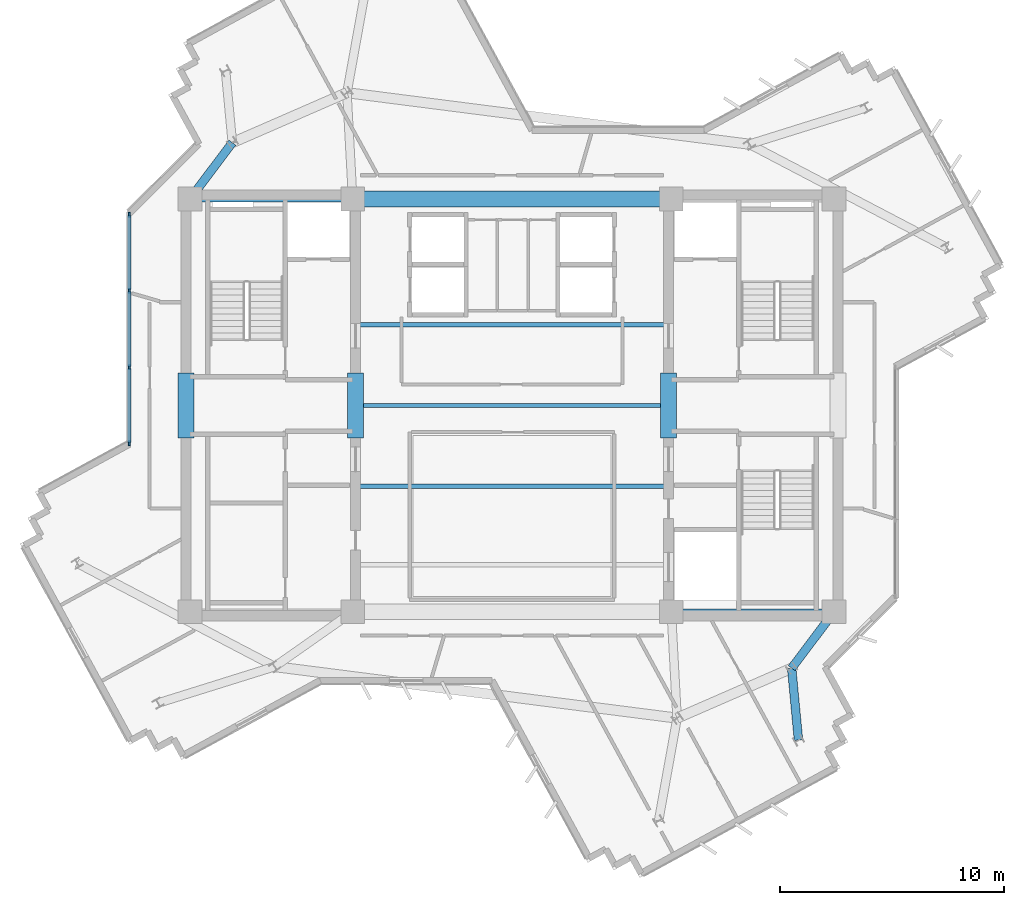
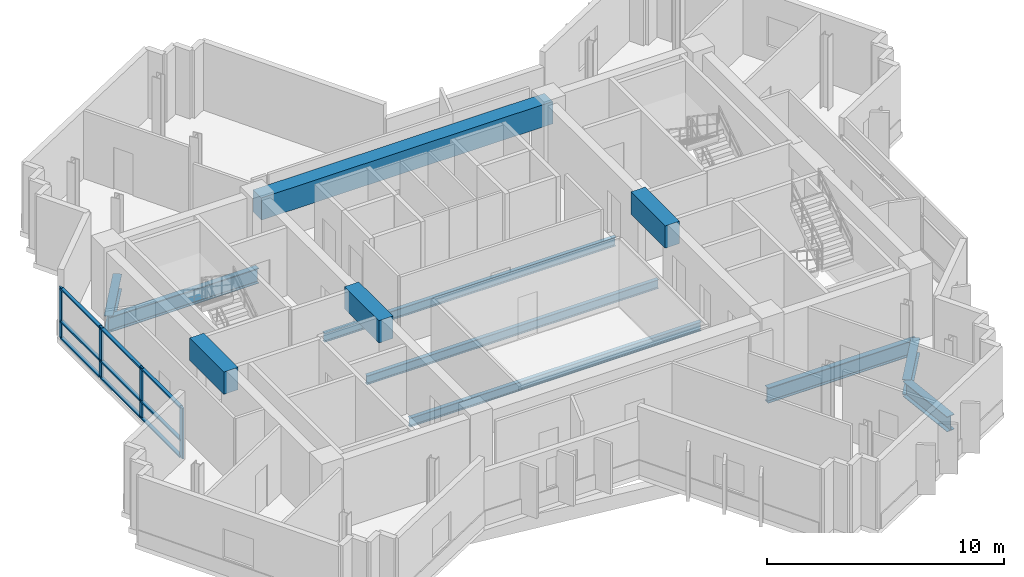
# One storey, part 2 of 13: 13 members, 12 beams, 1 element without a shape of its own.
"""IFC4 building model written with IfcOpenShell, lengths in metres."""

from ifc_helpers import new_model, si_unit, direction, frame, origin, origin_2d, place, context, subcontext, project, spatial, rectangle, i_section, extrude, source, transform, mapped, material, layer, layer_set, material_profile, profile_set, type_object, element, aggregate, save


model = new_model("IFC4")

# Units and contexts
model_context = context("Model", 3, precision=1e-05, world=origin(), true_north=direction((0.0, 1.0)))
body_context = subcontext(model_context, "Body", "Model", "MODEL_VIEW")
ifc_project = project(units=[si_unit("LENGTHUNIT", "METRE"), si_unit("AREAUNIT", "SQUARE_METRE"), si_unit("VOLUMEUNIT", "CUBIC_METRE"), si_unit("PLANEANGLEUNIT", "RADIAN"), si_unit("MASSUNIT", "GRAM", prefix="KILO")], contexts=[model_context])

# Site, building, storey
site_placement = place(None, origin())
site = spatial("IfcSite", under=ifc_project, at=site_placement, CompositionType="ELEMENT")
building_placement = place(site_placement, origin())
building = spatial("IfcBuilding", under=site, at=building_placement, Name="Zahravan Cultural Tower", CompositionType="ELEMENT")
storey_placement = place(building_placement, frame((0.0, 0.0, 257.85009765625)))
storey = spatial("IfcBuildingStorey", under=building, at=storey_placement, Name="L61", CompositionType="ELEMENT", Elevation=257.85009765625)

# Beams
ifc_material_1 = material(Name="Concrete C50/60", Category="concrete")
ifc_material_profile_1 = material_profile(ifc_material_1, rectangle(XDim=0.699951171875, YDim=1.14990234375, at=origin_2d()), Name="RC700X1150")
ifc_profile_set_1 = profile_set([ifc_material_profile_1], Name="Concrete C50/60")
beam_type_1 = type_object("IfcBeamType", Name="BM-LN-RC700X1150", PredefinedType="LINTEL", material=ifc_profile_set_1)
shared_shape_1 = source(origin(), body_context, "Body", "SweptSolid", [
    extrude(rectangle(XDim=0.699951171875, YDim=1.14990234375, at=origin_2d()), origin(), (0.0, 0.0, 1.0), 14.2001953125),
])
beam_1_placement = place(storey_placement, frame((28.89990234375, 36.199951171875, 2.9248046875), z_axis=(1.0, 0.0, 0.0), x_axis=(0.0, 1.0, 0.0)))
element("IfcBeam", 1, at=beam_1_placement, inside=storey, type_object=beam_type_1, Name="L61 Beam LN-L61-N", PredefinedType="LINTEL", context=body_context, shape_type="MappedRepresentation", body=[
    mapped(shared_shape_1, transform((0.0, 0.0, 0.0), x_axis=(1.0, 0.0, 0.0), y_axis=(0.0, 1.0, 0.0), z_axis=(0.0, 0.0, 1.0), scale=1.0)),
])
shared_shape_2 = source(origin(), body_context, "Body", "SweptSolid", [
    extrude(rectangle(XDim=0.699951171875, YDim=1.14990234375, at=origin_2d()), origin(), (0.0, 0.0, 1.0), 2.89990234375),
])
for number, where, z_axis, x_axis, name in (
    (2, (21.47509765625, 25.550048828125, 2.9248046875), (0.0, 1.0, 0.0), (-1.0, 0.0, 0.0), "L61 Beam LN-L61-PWW"),
    (3, (29.02490234375, 25.550048828125, 2.9248046875), (0.0, 1.0, 0.0), (-1.0, 0.0, 0.0), "L61 Beam LN-L61-PWE"),
    (4, (42.97509765625, 25.550048828125, 2.9248046875), (0.0, 1.0, 0.0), (-1.0, 0.0, 0.0), "L61 Beam LN-L61-PEW"),
):
    element("IfcBeam", number, at=place(storey_placement, frame(where, z_axis=z_axis, x_axis=x_axis)), inside=storey, type_object=beam_type_1, Name=name, PredefinedType="LINTEL", context=body_context, shape_type="MappedRepresentation", body=[
        mapped(shared_shape_2, transform((0.0, 0.0, 0.0), x_axis=(1.0, 0.0, 0.0), y_axis=(0.0, 1.0, 0.0), z_axis=(0.0, 0.0, 1.0), scale=1.0)),
    ])
ifc_material_2 = material(Name="Steel ASTM A992 Grade 50", Category="steel")
ifc_material_profile_2 = material_profile(ifc_material_2, i_section(OverallWidth=0.26611328125, OverallDepth=0.780029296875, WebThickness=0.0166015625, FlangeThickness=0.030029296875, FilletRadius=0.01904296875, at=origin_2d()), Name="W30X148")
ifc_profile_set_2 = profile_set([ifc_material_profile_2], Name="Steel ASTM A992 Grade 50")
beam_type_2 = type_object("IfcBeamType", Name="BM-G-W30X148", PredefinedType="BEAM", material=ifc_profile_set_2)
shared_shape_3 = source(origin(), body_context, "Body", "SweptSolid", [
    extrude(i_section(OverallWidth=0.26611328125, OverallDepth=0.780029296875, WebThickness=0.0166015625, FlangeThickness=0.030029296875, FilletRadius=0.01904296875, at=origin_2d()), origin(), (0.0, 0.0, 1.0), 7.25),
])
for number, where, z_axis, x_axis, name in (
    (5, (21.64990234375, 36.199951171875, -0.64013671875), (1.0, 0.0, 0.0), (0.0, 1.0, 0.0), "L61 Beam BG-L61-02"),
    (6, (43.10009765625, 17.800048828125, -0.64013671875), (1.0, 0.0, 0.0), (0.0, 1.0, 0.0), "L61 Beam BG-L61-04"),
):
    element("IfcBeam", number, at=place(storey_placement, frame(where, z_axis=z_axis, x_axis=x_axis)), inside=storey, type_object=beam_type_2, Name=name, PredefinedType="BEAM", context=body_context, shape_type="MappedRepresentation", body=[
        mapped(shared_shape_3, transform((0.0, 0.0, 0.0), x_axis=(1.0, 0.0, 0.0), y_axis=(0.0, 1.0, 0.0), z_axis=(0.0, 0.0, 1.0), scale=1.0)),
    ])
ifc_material_profile_3 = material_profile(ifc_material_2, i_section(OverallWidth=0.18994140625, OverallDepth=0.45703125, WebThickness=0.009033203125, FlangeThickness=0.014404296875, FilletRadius=0.012939453125, at=origin_2d()), Name="W18X50")
ifc_profile_set_3 = profile_set([ifc_material_profile_3], Name="Steel ASTM A992 Grade 50")
beam_type_3 = type_object("IfcBeamType", Name="BM-J-W18X50", PredefinedType="JOIST", material=ifc_profile_set_3)
shared_shape_4 = source(origin(), body_context, "Body", "SweptSolid", [
    extrude(i_section(OverallWidth=0.18994140625, OverallDepth=0.45703125, WebThickness=0.009033203125, FlangeThickness=0.014404296875, FilletRadius=0.012939453125, at=origin_2d()), origin(), (0.0, 0.0, 1.0), 14.2001953125),
])
for number, where, z_axis, x_axis, name in (
    (7, (28.89990234375, 23.39990234375, -0.478515625), (1.0, 0.0, 0.0), (0.0, 1.0, 0.0), "L61 Beam BJ-L61-25"),
    (8, (28.89990234375, 27.0, -0.478515625), (1.0, 0.0, 0.0), (0.0, 1.0, 0.0), "L61 Beam BJ-L61-26"),
    (9, (28.89990234375, 30.60009765625, -0.478515625), (1.0, 0.0, 0.0), (0.0, 1.0, 0.0), "L61 Beam BJ-L61-27"),
):
    element("IfcBeam", number, at=place(storey_placement, frame(where, z_axis=z_axis, x_axis=x_axis)), inside=storey, type_object=beam_type_3, Name=name, PredefinedType="JOIST", context=body_context, shape_type="MappedRepresentation", body=[
        mapped(shared_shape_4, transform((0.0, 0.0, 0.0), x_axis=(1.0, 0.0, 0.0), y_axis=(0.0, 1.0, 0.0), z_axis=(0.0, 0.0, 1.0), scale=1.0)),
    ])
ifc_material_profile_4 = material_profile(ifc_material_2, i_section(OverallWidth=0.382080078125, OverallDepth=0.779052734375, WebThickness=0.01806640625, FlangeThickness=0.030029296875, FilletRadius=0.01904296875, at=origin_2d()), Name="W30X191")
ifc_profile_set_4 = profile_set([ifc_material_profile_4], Name="Steel ASTM A992 Grade 50")
beam_type_4 = type_object("IfcBeamType", Name="BM-G-W30X191", PredefinedType="BEAM", material=ifc_profile_set_4)
shared_shape_5 = source(origin(), body_context, "Body", "SweptSolid", [
    extrude(i_section(OverallWidth=0.382080078125, OverallDepth=0.779052734375, WebThickness=0.01806640625, FlangeThickness=0.030029296875, FilletRadius=0.01904296875, at=origin_2d()), origin(), (0.0, 0.0, 1.0), 3.140380859375),
])
for number, where, z_axis, x_axis, name in (
    (10, (50.35009765625, 17.800048828125, -0.6396484375), (-0.600696322208, -0.799477284534, 0.0), (0.799477284534, -0.600696322208, 0.0), "L61 Beam BG-L61-09"),
    (11, (21.64990234375, 36.199951171875, -0.6396484375), (0.600696322208, 0.799477284534, 0.0), (-0.799477284534, 0.600696322208, 0.0), "L61 Beam BG-L61-11"),
):
    element("IfcBeam", number, at=place(storey_placement, frame(where, z_axis=z_axis, x_axis=x_axis)), inside=storey, type_object=beam_type_4, Name=name, PredefinedType="BEAM", context=body_context, shape_type="MappedRepresentation", body=[
        mapped(shared_shape_5, transform((0.0, 0.0, 0.0), x_axis=(1.0, 0.0, 0.0), y_axis=(0.0, 1.0, 0.0), z_axis=(0.0, 0.0, 1.0), scale=1.0)),
    ])
shared_shape_6 = source(origin(), body_context, "Body", "SweptSolid", [
    extrude(i_section(OverallWidth=0.382080078125, OverallDepth=0.779052734375, WebThickness=0.01806640625, FlangeThickness=0.030029296875, FilletRadius=0.01904296875, at=origin_2d()), origin(), (0.0, 0.0, 1.0), 3.218017578125),
])
beam_2_placement = place(storey_placement, frame((48.463623046875, 15.289306640625, -0.6396484375), z_axis=(0.094454641962, -0.995529166128, 0.0), x_axis=(0.995529166128, 0.094454641962, 0.0)))
element("IfcBeam", 12, at=beam_2_placement, inside=storey, type_object=beam_type_4, Name="L61 Beam BG-L61-19", PredefinedType="BEAM", context=body_context, shape_type="MappedRepresentation", body=[
    mapped(shared_shape_6, transform((0.0, 0.0, 0.0), x_axis=(1.0, 0.0, 0.0), y_axis=(0.0, 1.0, 0.0), z_axis=(0.0, 0.0, 1.0), scale=1.0)),
])

# Curtain wall, members
ifc_material_3 = material(Name="Anodised bronze-aluminium mullion", Category="aluminium")
ifc_layer = layer(ifc_material_3, 0.219970703125)
ifc_layer_set = layer_set([ifc_layer], Name="Anodised bronze-aluminium mullion")
curtain_wall_type = type_object("IfcCurtainWallType", Name="CW-SYS-1", PredefinedType="USERDEFINED", material=ifc_layer_set)
curtain_wall_placement = place(storey_placement, origin())
curtain_wall = element("IfcCurtainWall", 13, at=curtain_wall_placement, inside=storey, type_object=curtain_wall_type, Name="L61 Recessed Curtain Wall CW-1.2", ObjectType="RECESSED GLAZING", PredefinedType="USERDEFINED")
ifc_material_profile_5 = material_profile(ifc_material_3, rectangle(XDim=0.080078125, YDim=0.219970703125, at=origin_2d()), Name="AL-M80X220")
ifc_profile_set_5 = profile_set([ifc_material_profile_5], Name="Anodised bronze-aluminium mullion")
member_type_1 = type_object("IfcMemberType", Name="CWM-CW-1", PredefinedType="MULLION", material=ifc_profile_set_5)
shared_shape_7 = source(origin(), body_context, "Body", "SweptSolid", [
    extrude(rectangle(XDim=0.080078125, YDim=0.219970703125, at=origin_2d()), origin(), (0.0, 0.0, 1.0), 2.619873046875),
])
member_1_placement = place(storey_placement, frame((18.93994140625, 25.30859375, 0.0), z_axis=(0.0, 0.0, 1.0), x_axis=(-1.0, 0.0, 0.0)))
member_1 = element("IfcMember", 14, at=member_1_placement, type_object=member_type_1, Name="CW-1 mullion 1", PredefinedType="MULLION", context=body_context, shape_type="MappedRepresentation", body=[
    mapped(shared_shape_7, transform((0.0, 0.0, 0.0), x_axis=(1.0, 0.0, 0.0), y_axis=(0.0, 1.0, 0.0), z_axis=(0.0, 0.0, 1.0), scale=1.0)),
])
member_2_placement = place(storey_placement, frame((18.93994140625, 28.693115234375, 0.0), z_axis=(0.0, 0.0, 1.0), x_axis=(-1.0, 0.0, 0.0)))
member_2 = element("IfcMember", 15, at=member_2_placement, type_object=member_type_1, Name="CW-1 mullion 2", PredefinedType="MULLION", context=body_context, shape_type="MappedRepresentation", body=[
    mapped(shared_shape_7, transform((0.0, 0.0, 0.0), x_axis=(1.0, 0.0, 0.0), y_axis=(0.0, 1.0, 0.0), z_axis=(0.0, 0.0, 1.0), scale=1.0)),
])
member_3_placement = place(storey_placement, frame((18.93994140625, 32.117431640625, 0.0), z_axis=(0.0, 0.0, 1.0), x_axis=(-1.0, 0.0, 0.0)))
member_3 = element("IfcMember", 16, at=member_3_placement, type_object=member_type_1, Name="CW-1 mullion 3", PredefinedType="MULLION", context=body_context, shape_type="MappedRepresentation", body=[
    mapped(shared_shape_7, transform((0.0, 0.0, 0.0), x_axis=(1.0, 0.0, 0.0), y_axis=(0.0, 1.0, 0.0), z_axis=(0.0, 0.0, 1.0), scale=1.0)),
])
member_4_placement = place(storey_placement, frame((18.93994140625, 35.501953125, 0.0), z_axis=(0.0, 0.0, 1.0), x_axis=(-1.0, 0.0, 0.0)))
member_4 = element("IfcMember", 17, at=member_4_placement, type_object=member_type_1, Name="CW-1 mullion 4", PredefinedType="MULLION", context=body_context, shape_type="MappedRepresentation", body=[
    mapped(shared_shape_7, transform((0.0, 0.0, 0.0), x_axis=(1.0, 0.0, 0.0), y_axis=(0.0, 1.0, 0.0), z_axis=(0.0, 0.0, 1.0), scale=1.0)),
])
ifc_material_profile_6 = material_profile(ifc_material_3, rectangle(XDim=0.159912109375, YDim=0.080078125, at=origin_2d()), Name="AL-T80X160")
ifc_profile_set_6 = profile_set([ifc_material_profile_6], Name="Anodised bronze-aluminium mullion")
member_type_2 = type_object("IfcMemberType", Name="CWT-CW-1", PredefinedType="USERDEFINED", material=ifc_profile_set_6)
shared_shape_8 = source(origin(), body_context, "Body", "SweptSolid", [
    extrude(rectangle(XDim=0.159912109375, YDim=0.080078125, at=origin_2d()), origin(), (0.0, 0.0, 1.0), 3.3046875),
])
member_5_placement = place(storey_placement, frame((18.93994140625, 25.348388671875, 0.039794921875), z_axis=(0.0, 1.0, 0.0), x_axis=(-1.0, 0.0, 0.0)))
member_5 = element("IfcMember", 18, at=member_5_placement, type_object=member_type_2, Name="CW-1 transom 1.1", ObjectType="TRANSOM", PredefinedType="USERDEFINED", context=body_context, shape_type="MappedRepresentation", body=[
    mapped(shared_shape_8, transform((0.0, 0.0, 0.0), x_axis=(1.0, 0.0, 0.0), y_axis=(0.0, 1.0, 0.0), z_axis=(0.0, 0.0, 1.0), scale=1.0)),
])
member_6_placement = place(storey_placement, frame((18.93994140625, 25.348388671875, 0.89990234375), z_axis=(0.0, 1.0, 0.0), x_axis=(-1.0, 0.0, 0.0)))
member_6 = element("IfcMember", 19, at=member_6_placement, type_object=member_type_2, Name="CW-1 transom 1.2", ObjectType="TRANSOM", PredefinedType="USERDEFINED", context=body_context, shape_type="MappedRepresentation", body=[
    mapped(shared_shape_8, transform((0.0, 0.0, 0.0), x_axis=(1.0, 0.0, 0.0), y_axis=(0.0, 1.0, 0.0), z_axis=(0.0, 0.0, 1.0), scale=1.0)),
])
member_7_placement = place(storey_placement, frame((18.93994140625, 25.348388671875, 2.579833984375), z_axis=(0.0, 1.0, 0.0), x_axis=(-1.0, 0.0, 0.0)))
member_7 = element("IfcMember", 20, at=member_7_placement, type_object=member_type_2, Name="CW-1 transom 1.3", ObjectType="TRANSOM", PredefinedType="USERDEFINED", context=body_context, shape_type="MappedRepresentation", body=[
    mapped(shared_shape_8, transform((0.0, 0.0, 0.0), x_axis=(1.0, 0.0, 0.0), y_axis=(0.0, 1.0, 0.0), z_axis=(0.0, 0.0, 1.0), scale=1.0)),
])
shared_shape_9 = source(origin(), body_context, "Body", "SweptSolid", [
    extrude(rectangle(XDim=0.159912109375, YDim=0.080078125, at=origin_2d()), origin(), (0.0, 0.0, 1.0), 3.344482421875),
])
member_8_placement = place(storey_placement, frame((18.93994140625, 28.73291015625, 0.039794921875), z_axis=(0.0, 1.0, 0.0), x_axis=(-1.0, 0.0, 0.0)))
member_8 = element("IfcMember", 21, at=member_8_placement, type_object=member_type_2, Name="CW-1 transom 2.1", ObjectType="TRANSOM", PredefinedType="USERDEFINED", context=body_context, shape_type="MappedRepresentation", body=[
    mapped(shared_shape_9, transform((0.0, 0.0, 0.0), x_axis=(1.0, 0.0, 0.0), y_axis=(0.0, 1.0, 0.0), z_axis=(0.0, 0.0, 1.0), scale=1.0)),
])
member_9_placement = place(storey_placement, frame((18.93994140625, 28.73291015625, 0.89990234375), z_axis=(0.0, 1.0, 0.0), x_axis=(-1.0, 0.0, 0.0)))
member_9 = element("IfcMember", 22, at=member_9_placement, type_object=member_type_2, Name="CW-1 transom 2.2", ObjectType="TRANSOM", PredefinedType="USERDEFINED", context=body_context, shape_type="MappedRepresentation", body=[
    mapped(shared_shape_9, transform((0.0, 0.0, 0.0), x_axis=(1.0, 0.0, 0.0), y_axis=(0.0, 1.0, 0.0), z_axis=(0.0, 0.0, 1.0), scale=1.0)),
])
member_10_placement = place(storey_placement, frame((18.93994140625, 28.73291015625, 2.579833984375), z_axis=(0.0, 1.0, 0.0), x_axis=(-1.0, 0.0, 0.0)))
member_10 = element("IfcMember", 23, at=member_10_placement, type_object=member_type_2, Name="CW-1 transom 2.3", ObjectType="TRANSOM", PredefinedType="USERDEFINED", context=body_context, shape_type="MappedRepresentation", body=[
    mapped(shared_shape_9, transform((0.0, 0.0, 0.0), x_axis=(1.0, 0.0, 0.0), y_axis=(0.0, 1.0, 0.0), z_axis=(0.0, 0.0, 1.0), scale=1.0)),
])
shared_shape_10 = source(origin(), body_context, "Body", "SweptSolid", [
    extrude(rectangle(XDim=0.159912109375, YDim=0.080078125, at=origin_2d()), origin(), (0.0, 0.0, 1.0), 3.304443359375),
])
member_11_placement = place(storey_placement, frame((18.93994140625, 32.157470703125, 0.039794921875), z_axis=(0.0, 1.0, 0.0), x_axis=(-1.0, 0.0, 0.0)))
member_11 = element("IfcMember", 24, at=member_11_placement, type_object=member_type_2, Name="CW-1 transom 3.1", ObjectType="TRANSOM", PredefinedType="USERDEFINED", context=body_context, shape_type="MappedRepresentation", body=[
    mapped(shared_shape_10, transform((0.0, 0.0, 0.0), x_axis=(1.0, 0.0, 0.0), y_axis=(0.0, 1.0, 0.0), z_axis=(0.0, 0.0, 1.0), scale=1.0)),
])
member_12_placement = place(storey_placement, frame((18.93994140625, 32.157470703125, 0.89990234375), z_axis=(0.0, 1.0, 0.0), x_axis=(-1.0, 0.0, 0.0)))
member_12 = element("IfcMember", 25, at=member_12_placement, type_object=member_type_2, Name="CW-1 transom 3.2", ObjectType="TRANSOM", PredefinedType="USERDEFINED", context=body_context, shape_type="MappedRepresentation", body=[
    mapped(shared_shape_10, transform((0.0, 0.0, 0.0), x_axis=(1.0, 0.0, 0.0), y_axis=(0.0, 1.0, 0.0), z_axis=(0.0, 0.0, 1.0), scale=1.0)),
])
member_13_placement = place(storey_placement, frame((18.93994140625, 32.157470703125, 2.579833984375), z_axis=(0.0, 1.0, 0.0), x_axis=(-1.0, 0.0, 0.0)))
member_13 = element("IfcMember", 26, at=member_13_placement, type_object=member_type_2, Name="CW-1 transom 3.3", ObjectType="TRANSOM", PredefinedType="USERDEFINED", context=body_context, shape_type="MappedRepresentation", body=[
    mapped(shared_shape_10, transform((0.0, 0.0, 0.0), x_axis=(1.0, 0.0, 0.0), y_axis=(0.0, 1.0, 0.0), z_axis=(0.0, 0.0, 1.0), scale=1.0)),
])
aggregate(curtain_wall, [member_1, member_2, member_3, member_4, member_5, member_6, member_7, member_8, member_9, member_10, member_11, member_12, member_13])

save(model, "model.ifc")
